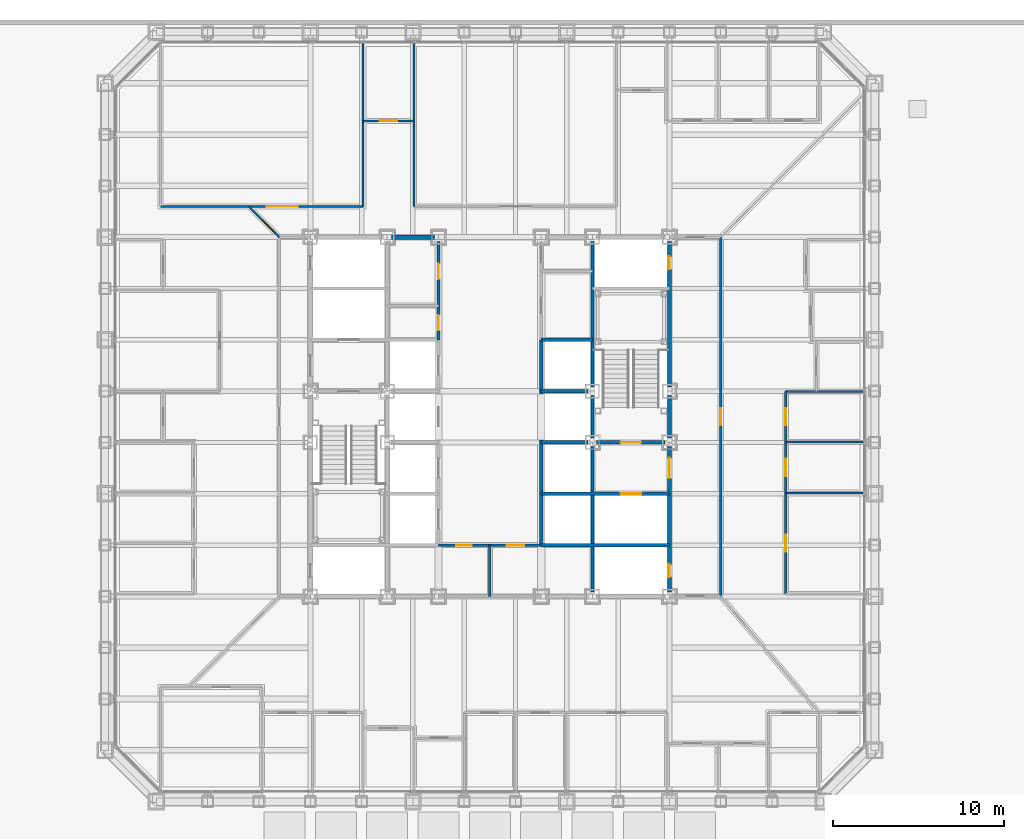
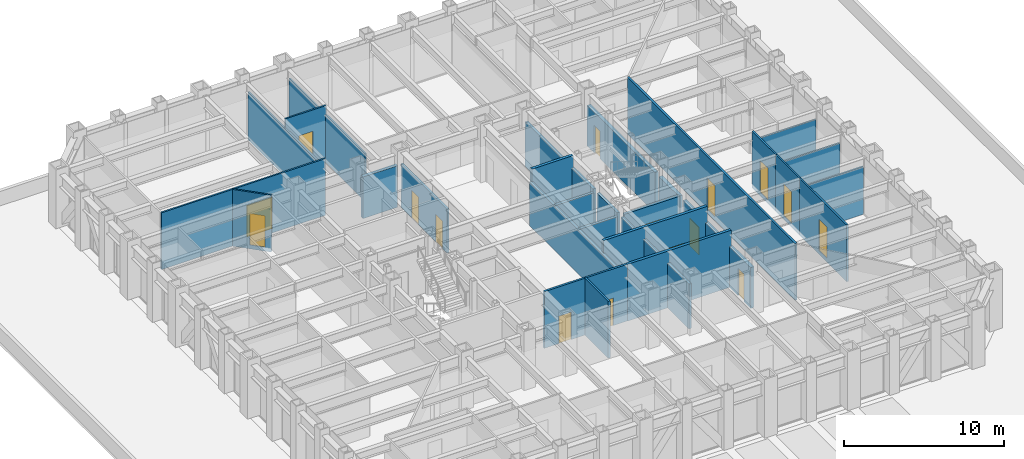
# One storey, part 11 of 18: 29 walls, 16 doors, 16 openings.
"""IFC4 building model written with IfcOpenShell, lengths in metres."""

from ifc_helpers import new_model, si_unit, direction, frame, frame_2d, origin, place, context, subcontext, project, spatial, rectangle, extrude, material, layer, layer_set, type_object, element, fill, save


model = new_model("IFC4")

# Units and contexts
model_context = context("Model", 3, precision=1e-05, world=origin(), true_north=direction((0.0, 1.0)))
body_context = subcontext(model_context, "Body", "Model", "MODEL_VIEW")
ifc_project = project(units=[si_unit("LENGTHUNIT", "METRE"), si_unit("AREAUNIT", "SQUARE_METRE"), si_unit("VOLUMEUNIT", "CUBIC_METRE"), si_unit("PLANEANGLEUNIT", "RADIAN"), si_unit("MASSUNIT", "GRAM", prefix="KILO")], contexts=[model_context])

# Site, building, storey
site_placement = place(None, origin())
site = spatial("IfcSite", under=ifc_project, at=site_placement, CompositionType="ELEMENT")
building_placement = place(site_placement, origin())
building = spatial("IfcBuilding", under=site, at=building_placement, Name="Chuquiago Exchange Tower", CompositionType="ELEMENT")
storey_placement = place(building_placement, frame((0.0, 0.0, 24.300048828125)))
storey = spatial("IfcBuildingStorey", under=building, at=storey_placement, Name="L04", CompositionType="ELEMENT", Elevation=24.300048828125)

# Wall
ifc_material_1 = material(Name="Concrete masonry, fully grouted", Category="masonry")
ifc_layer_1 = layer(ifc_material_1, 0.25)
ifc_layer_set_1 = layer_set([ifc_layer_1], Name="W1 core wall 250")
wall_type_1 = type_object("IfcWallType", Name="W1 core wall 250", PredefinedType="SOLIDWALL", material=ifc_layer_set_1)
wall_1_placement = place(storey_placement, frame((16.75, 33.0, 0.0), z_axis=(0.0, 0.0, 1.0), x_axis=(1.0, 0.0, 0.0)))
element("IfcWall", 1, at=wall_1_placement, inside=storey, type_object=wall_type_1, Name="CW-L04-11-1", PredefinedType="SOLIDWALL", context=body_context, shape_type="SweptSolid", body=[
    extrude(rectangle(XDim=2.5, YDim=0.25, at=frame_2d((1.25, 0.0))), origin(), (0.0, 0.0, 1.0), 3.181396484375),
])

# Wall, openings, doors
wall_2_placement = place(storey_placement, frame((33.0, 12.25, 0.0), z_axis=(0.0, 0.0, 1.0), x_axis=(0.0, 1.0, 0.0)))
wall_2 = element("IfcWall", 2, at=wall_2_placement, inside=storey, type_object=wall_type_1, Name="CW-L04-25-0", PredefinedType="SOLIDWALL", context=body_context, shape_type="SweptSolid", body=[
    extrude(rectangle(XDim=8.5, YDim=0.25, at=frame_2d((4.25, 0.0))), origin(), (0.0, 0.0, 1.0), 3.11279296875),
])
opening_1_placement = place(wall_2_placement, frame((6.64990234375, 0.0, 0.0)))
opening_1 = element("IfcOpeningElement", 3, at=opening_1_placement, cuts=wall_2, Name="Opening L04-004", PredefinedType="OPENING", context=body_context, shape_type="SweptSolid", body=[
    extrude(rectangle(XDim=1.199951171875, YDim=2.10009765625, at=frame_2d((0.60009765625, 1.050048828125))), frame((0.0, 0.135009765625, 0.0), z_axis=(0.0, -1.0, 0.0), x_axis=(1.0, 0.0, 0.0)), (0.0, 0.0, 1.0), 0.27001953125),
])
opening_2_placement = place(wall_2_placement, frame((0.875, 0.0, 0.0)))
opening_2 = element("IfcOpeningElement", 4, at=opening_2_placement, cuts=wall_2, Name="Opening L04-009", PredefinedType="OPENING", context=body_context, shape_type="SweptSolid", body=[
    extrude(rectangle(XDim=0.75, YDim=2.10009765625, at=frame_2d((0.375, 1.050048828125))), frame((0.0, 0.135009765625, 0.0), z_axis=(0.0, -1.0, 0.0), x_axis=(1.0, 0.0, 0.0)), (0.0, 0.0, 1.0), 0.27001953125),
])
ifc_material_2 = material(Name="Steel door, painted", Category="steel")
door_type_1 = type_object("IfcDoorType", Name="D5 firefighting lobby door 1200x2100", OperationType="SINGLE_SWING_LEFT", PredefinedType="DOOR", material=ifc_material_2)
door_1_placement = place(opening_1_placement, origin())
door_1 = element("IfcDoor", 5, at=door_1_placement, inside=storey, type_object=door_type_1, Name="Firefighting lobby 2 door", OperationType="SINGLE_SWING_RIGHT", OverallHeight=2.10009765625, OverallWidth=1.199951171875, PredefinedType="DOOR", context=body_context, shape_type="SweptSolid", body=[
    extrude(rectangle(XDim=1.199951171875, YDim=2.10009765625, at=frame_2d((0.60009765625, 1.050048828125))), frame((0.0, 0.02490234375, 0.0), z_axis=(0.0, -1.0, 0.0), x_axis=(1.0, 0.0, 0.0)), (0.0, 0.0, 1.0), 0.050048828125),
])
fill(opening_1, door_1)
ifc_material_3 = material(Name="Steel door, painted", Category="steel")
door_type_2 = type_object("IfcDoorType", Name="D6 riser access door 750x2100", OperationType="SINGLE_SWING_LEFT", PredefinedType="DOOR", material=ifc_material_3)
door_2_placement = place(opening_2_placement, frame((0.75, 0.0, 0.0), z_axis=(0.0, 0.0, 1.0), x_axis=(-1.0, 0.0, 0.0)))
door_2 = element("IfcDoor", 6, at=door_2_placement, inside=storey, type_object=door_type_2, Name="Riser RE1 door", OperationType="SINGLE_SWING_RIGHT", OverallHeight=2.10009765625, OverallWidth=0.75, PredefinedType="DOOR", context=body_context, shape_type="SweptSolid", body=[
    extrude(rectangle(XDim=0.75, YDim=2.10009765625, at=frame_2d((0.375, 1.050048828125))), frame((0.0, 0.02490234375, 0.0), z_axis=(0.0, -1.0, 0.0), x_axis=(1.0, 0.0, 0.0)), (0.0, 0.0, 1.0), 0.050048828125),
])
fill(opening_2, door_2)

# Wall
wall_3_placement = place(storey_placement, frame((33.0, 21.25, 0.0), z_axis=(0.0, 0.0, 1.0), x_axis=(0.0, 1.0, 0.0)))
element("IfcWall", 7, at=wall_3_placement, inside=storey, type_object=wall_type_1, Name="CW-L04-25-1", PredefinedType="SOLIDWALL", context=body_context, shape_type="SweptSolid", body=[
    extrude(rectangle(XDim=2.5, YDim=0.25, at=frame_2d((1.25, 0.0))), origin(), (0.0, 0.0, 1.0), 3.11279296875),
])

# Wall, opening, door
wall_4_placement = place(storey_placement, frame((33.0, 24.25, 0.0), z_axis=(0.0, 0.0, 1.0), x_axis=(0.0, 1.0, 0.0)))
wall_4 = element("IfcWall", 8, at=wall_4_placement, inside=storey, type_object=wall_type_1, Name="CW-L04-25-2", PredefinedType="SOLIDWALL", context=body_context, shape_type="SweptSolid", body=[
    extrude(rectangle(XDim=8.5, YDim=0.25, at=frame_2d((4.25, 0.0))), origin(), (0.0, 0.0, 1.0), 3.11279296875),
])
opening_3_placement = place(wall_4_placement, frame((6.875, 0.0, 0.0)))
opening_3 = element("IfcOpeningElement", 9, at=opening_3_placement, cuts=wall_4, Name="Opening L04-010", PredefinedType="OPENING", context=body_context, shape_type="SweptSolid", body=[
    extrude(rectangle(XDim=0.75, YDim=2.10009765625, at=frame_2d((0.375, 1.050048828125))), frame((0.0, 0.135009765625, 0.0), z_axis=(0.0, -1.0, 0.0), x_axis=(1.0, 0.0, 0.0)), (0.0, 0.0, 1.0), 0.27001953125),
])
door_3_placement = place(opening_3_placement, frame((0.75, 0.0, 0.0), z_axis=(0.0, 0.0, 1.0), x_axis=(-1.0, 0.0, 0.0)))
door_3 = element("IfcDoor", 10, at=door_3_placement, inside=storey, type_object=door_type_2, Name="Riser RE2 door", OperationType="SINGLE_SWING_LEFT", OverallHeight=2.10009765625, OverallWidth=0.75, PredefinedType="DOOR", context=body_context, shape_type="SweptSolid", body=[
    extrude(rectangle(XDim=0.75, YDim=2.10009765625, at=frame_2d((0.375, 1.050048828125))), frame((0.0, 0.02490234375, 0.0), z_axis=(0.0, -1.0, 0.0), x_axis=(1.0, 0.0, 0.0)), (0.0, 0.0, 1.0), 0.050048828125),
])
fill(opening_3, door_3)

ifc_material_4 = material(Name="Gypsum board on steel studs, acoustic insulation", Category="steel")
ifc_layer_2 = layer(ifc_material_4, 0.14990234375)
ifc_layer_set_2 = layer_set([ifc_layer_2], Name="W11 corridor wall 150")
wall_type_2 = type_object("IfcWallType", Name="W11 corridor wall 150", PredefinedType="PARTITIONING", material=ifc_layer_set_2)
wall_5_placement = place(storey_placement, frame((36.0, 12.0, -0.300048828125), z_axis=(0.0, 0.0, 1.0), x_axis=(0.0, 1.0, 0.0)))
wall_5 = element("IfcWall", 11, at=wall_5_placement, inside=storey, type_object=wall_type_2, Name="PW-L04-GE0", PredefinedType="PARTITIONING", context=body_context, shape_type="SweptSolid", body=[
    extrude(rectangle(XDim=21.0, YDim=0.14990234375, at=frame_2d((10.5, 0.0))), origin(), (0.0, 0.0, 1.0), 4.340087890625),
])
opening_4_placement = place(wall_5_placement, frame((10.0, 0.0, 0.300048828125)))
opening_4 = element("IfcOpeningElement", 12, at=opening_4_placement, cuts=wall_5, Name="Opening L04-053", PredefinedType="OPENING", context=body_context, shape_type="SweptSolid", body=[
    extrude(rectangle(XDim=1.0, YDim=2.39990234375, at=frame_2d((0.5, 1.199951171875))), frame((0.0, 0.0849609375, 0.0), z_axis=(0.0, -1.0, 0.0), x_axis=(1.0, 0.0, 0.0)), (0.0, 0.0, 1.0), 0.169921875),
])
ifc_material_5 = material(Name="Timber door, laminate faced", Category="wood")
door_type_3 = type_object("IfcDoorType", Name="D9 room door 1000x2400", OperationType="SINGLE_SWING_LEFT", PredefinedType="DOOR", material=ifc_material_5)
door_4_placement = place(opening_4_placement, frame((1.0, 0.0, 0.0), z_axis=(0.0, 0.0, 1.0), x_axis=(-1.0, 0.0, 0.0)))
door_4 = element("IfcDoor", 13, at=door_4_placement, inside=storey, type_object=door_type_3, Name="Team area door", OperationType="SINGLE_SWING_RIGHT", OverallHeight=2.39990234375, OverallWidth=1.0, PredefinedType="DOOR", context=body_context, shape_type="SweptSolid", body=[
    extrude(rectangle(XDim=1.0, YDim=2.39990234375, at=frame_2d((0.5, 1.199951171875))), frame((0.0, 0.02490234375, 0.0), z_axis=(0.0, -1.0, 0.0), x_axis=(1.0, 0.0, 0.0)), (0.0, 0.0, 1.0), 0.050048828125),
])
fill(opening_4, door_4)

# Walls
ifc_material_6 = material(Name="Concrete masonry, fully grouted", Category="masonry")
ifc_layer_3 = layer(ifc_material_6, 0.199951171875)
ifc_layer_set_3 = layer_set([ifc_layer_3], Name="W2 shaft wall 200")
wall_type_3 = type_object("IfcWallType", Name="W2 shaft wall 200", PredefinedType="SOLIDWALL", material=ifc_layer_set_3)
wall_6_placement = place(storey_placement, frame((25.5, 15.0, 0.0), z_axis=(0.0, 0.0, 1.0), x_axis=(1.0, 0.0, 0.0)))
element("IfcWall", 14, at=wall_6_placement, inside=storey, type_object=wall_type_3, Name="CW-L04-04-0", PredefinedType="SOLIDWALL", context=body_context, shape_type="SweptSolid", body=[
    extrude(rectangle(XDim=7.5, YDim=0.199951171875, at=frame_2d((3.75, 0.0))), origin(), (0.0, 0.0, 1.0), 4.33984375),
])
wall_7_placement = place(storey_placement, frame((25.5, 24.0, 0.0), z_axis=(0.0, 0.0, 1.0), x_axis=(1.0, 0.0, 0.0)))
element("IfcWall", 15, at=wall_7_placement, inside=storey, type_object=wall_type_3, Name="CW-L04-06-0", PredefinedType="SOLIDWALL", context=body_context, shape_type="SweptSolid", body=[
    extrude(rectangle(XDim=2.75, YDim=0.199951171875, at=frame_2d((1.375, 0.0))), origin(), (0.0, 0.0, 1.0), 3.389892578125),
])
wall_8_placement = place(storey_placement, frame((25.5, 27.0, 0.0), z_axis=(0.0, 0.0, 1.0), x_axis=(1.0, 0.0, 0.0)))
element("IfcWall", 16, at=wall_8_placement, inside=storey, type_object=wall_type_3, Name="CW-L04-08-0", PredefinedType="SOLIDWALL", context=body_context, shape_type="SweptSolid", body=[
    extrude(rectangle(XDim=3.0, YDim=0.199951171875, at=frame_2d((1.5, 0.0))), origin(), (0.0, 0.0, 1.0), 4.33984375),
])

# Wall, opening, door
wall_9_placement = place(storey_placement, frame((25.5, 18.0, 0.0), z_axis=(0.0, 0.0, 1.0), x_axis=(1.0, 0.0, 0.0)))
wall_9 = element("IfcWall", 17, at=wall_9_placement, inside=storey, type_object=wall_type_3, Name="CW-L04-15-0", PredefinedType="SOLIDWALL", context=body_context, shape_type="SweptSolid", body=[
    extrude(rectangle(XDim=7.5, YDim=0.199951171875, at=frame_2d((3.75, 0.0))), origin(), (0.0, 0.0, 1.0), 4.33984375),
])
opening_5_placement = place(wall_9_placement, frame((4.64990234375, 0.0, 0.0)))
opening_5 = element("IfcOpeningElement", 18, at=opening_5_placement, cuts=wall_9, Name="Opening L04-006", PredefinedType="OPENING", context=body_context, shape_type="SweptSolid", body=[
    extrude(rectangle(XDim=1.199951171875, YDim=2.10009765625, at=frame_2d((0.60009765625, 1.050048828125))), frame((0.0, 0.10986328125, 0.0), z_axis=(0.0, -1.0, 0.0), x_axis=(1.0, 0.0, 0.0)), (0.0, 0.0, 1.0), 0.219970703125),
])
ifc_material_7 = material(Name="Stainless steel lift landing door", Category="steel")
door_type_4 = type_object("IfcDoorType", Name="LD2 firefighting lift landing door 1200x2100", OperationType="DOUBLE_DOOR_SLIDING", PredefinedType="DOOR", material=ifc_material_7)
door_5_placement = place(opening_5_placement, origin())
door_5 = element("IfcDoor", 19, at=door_5_placement, inside=storey, type_object=door_type_4, Name="Firefighting lift FL2 landing door", OperationType="DOUBLE_DOOR_SLIDING", OverallHeight=2.10009765625, OverallWidth=1.199951171875, PredefinedType="DOOR", context=body_context, shape_type="SweptSolid", body=[
    extrude(rectangle(XDim=1.199951171875, YDim=2.10009765625, at=frame_2d((0.60009765625, 1.050048828125))), frame((0.0, 0.02490234375, 0.0), z_axis=(0.0, -1.0, 0.0), x_axis=(1.0, 0.0, 0.0)), (0.0, 0.0, 1.0), 0.050048828125),
])
fill(opening_5, door_5)

# Wall
wall_10_placement = place(storey_placement, frame((25.5, 21.0, 0.0), z_axis=(0.0, 0.0, 1.0), x_axis=(1.0, 0.0, 0.0)))
element("IfcWall", 20, at=wall_10_placement, inside=storey, type_object=wall_type_3, Name="CW-L04-17-0", PredefinedType="SOLIDWALL", context=body_context, shape_type="SweptSolid", body=[
    extrude(rectangle(XDim=2.75, YDim=0.199951171875, at=frame_2d((1.375, 0.0))), origin(), (0.0, 0.0, 1.0), 3.389892578125),
])

# Wall, opening, door
wall_11_placement = place(storey_placement, frame((28.75, 21.0, 0.0), z_axis=(0.0, 0.0, 1.0), x_axis=(1.0, 0.0, 0.0)))
wall_11 = element("IfcWall", 21, at=wall_11_placement, inside=storey, type_object=wall_type_3, Name="CW-L04-17-1", PredefinedType="SOLIDWALL", context=body_context, shape_type="SweptSolid", body=[
    extrude(rectangle(XDim=4.0, YDim=0.199951171875, at=frame_2d((2.0, 0.0))), origin(), (0.0, 0.0, 1.0), 3.389892578125),
])
opening_6_placement = place(wall_11_placement, frame((1.39990234375, 0.0, 0.0)))
opening_6 = element("IfcOpeningElement", 22, at=opening_6_placement, cuts=wall_11, Name="Opening L04-003", PredefinedType="OPENING", context=body_context, shape_type="SweptSolid", body=[
    extrude(rectangle(XDim=1.199951171875, YDim=2.10009765625, at=frame_2d((0.60009765625, 1.050048828125))), frame((0.0, 0.10986328125, 0.0), z_axis=(0.0, -1.0, 0.0), x_axis=(1.0, 0.0, 0.0)), (0.0, 0.0, 1.0), 0.219970703125),
])
ifc_material_8 = material(Name="Steel door, painted", Category="steel")
door_type_5 = type_object("IfcDoorType", Name="D4 stair door 1200x2100", OperationType="SINGLE_SWING_LEFT", PredefinedType="DOOR", material=ifc_material_8)
door_6_placement = place(opening_6_placement, origin())
door_6 = element("IfcDoor", 23, at=door_6_placement, inside=storey, type_object=door_type_5, Name="Stair ST2 door", OperationType="SINGLE_SWING_LEFT", OverallHeight=2.10009765625, OverallWidth=1.199951171875, PredefinedType="DOOR", context=body_context, shape_type="SweptSolid", body=[
    extrude(rectangle(XDim=1.199951171875, YDim=2.10009765625, at=frame_2d((0.60009765625, 1.050048828125))), frame((0.0, 0.02490234375, 0.0), z_axis=(0.0, -1.0, 0.0), x_axis=(1.0, 0.0, 0.0)), (0.0, 0.0, 1.0), 0.050048828125),
])
fill(opening_6, door_6)

# Walls
wall_12_placement = place(storey_placement, frame((25.5, 15.0, 0.0), z_axis=(0.0, 0.0, 1.0), x_axis=(0.0, 1.0, 0.0)))
element("IfcWall", 24, at=wall_12_placement, inside=storey, type_object=wall_type_3, Name="CW-L04-22-0", PredefinedType="SOLIDWALL", context=body_context, shape_type="SweptSolid", body=[
    extrude(rectangle(XDim=12.0, YDim=0.199951171875, at=frame_2d((6.0, 0.0))), origin(), (0.0, 0.0, 1.0), 3.364501953125),
])
wall_13_placement = place(storey_placement, frame((28.5, 12.25, 0.0), z_axis=(0.0, 0.0, 1.0), x_axis=(0.0, 1.0, 0.0)))
element("IfcWall", 25, at=wall_13_placement, inside=storey, type_object=wall_type_3, Name="CW-L04-24-0", PredefinedType="SOLIDWALL", context=body_context, shape_type="SweptSolid", body=[
    extrude(rectangle(XDim=8.5, YDim=0.199951171875, at=frame_2d((4.25, 0.0))), origin(), (0.0, 0.0, 1.0), 3.412841796875),
])
wall_14_placement = place(storey_placement, frame((28.5, 21.25, 0.0), z_axis=(0.0, 0.0, 1.0), x_axis=(0.0, 1.0, 0.0)))
element("IfcWall", 26, at=wall_14_placement, inside=storey, type_object=wall_type_3, Name="CW-L04-24-1", PredefinedType="SOLIDWALL", context=body_context, shape_type="SweptSolid", body=[
    extrude(rectangle(XDim=2.5, YDim=0.199951171875, at=frame_2d((1.25, 0.0))), origin(), (0.0, 0.0, 1.0), 3.412841796875),
])
wall_15_placement = place(storey_placement, frame((28.5, 24.25, 0.0), z_axis=(0.0, 0.0, 1.0), x_axis=(0.0, 1.0, 0.0)))
element("IfcWall", 27, at=wall_15_placement, inside=storey, type_object=wall_type_3, Name="CW-L04-24-2", PredefinedType="SOLIDWALL", context=body_context, shape_type="SweptSolid", body=[
    extrude(rectangle(XDim=8.5, YDim=0.199951171875, at=frame_2d((4.25, 0.0))), origin(), (0.0, 0.0, 1.0), 3.412841796875),
])

# Wall, openings, doors
ifc_material_9 = material(Name="Gypsum board on steel studs", Category="steel")
ifc_layer_4 = layer(ifc_material_9, 0.14990234375)
ifc_layer_set_4 = layer_set([ifc_layer_4], Name="W3 core partition 150")
wall_type_4 = type_object("IfcWallType", Name="W3 core partition 150", PredefinedType="PARTITIONING", material=ifc_layer_set_4)
wall_16_placement = place(storey_placement, frame((19.5, 27.0, 0.0), z_axis=(0.0, 0.0, 1.0), x_axis=(0.0, 1.0, 0.0)))
wall_16 = element("IfcWall", 28, at=wall_16_placement, inside=storey, type_object=wall_type_4, Name="CW-L04-20-0", PredefinedType="PARTITIONING", context=body_context, shape_type="SweptSolid", body=[
    extrude(rectangle(XDim=5.75, YDim=0.14990234375, at=frame_2d((2.875, 0.0))), origin(), (0.0, 0.0, 1.0), 3.364501953125),
])
opening_7_placement = place(wall_16_placement, frame((0.550048828125, 0.0, 0.0)))
opening_7 = element("IfcOpeningElement", 29, at=opening_7_placement, cuts=wall_16, Name="Opening L04-011", PredefinedType="OPENING", context=body_context, shape_type="SweptSolid", body=[
    extrude(rectangle(XDim=0.89990234375, YDim=2.10009765625, at=frame_2d((0.449951171875, 1.050048828125))), frame((0.0, 0.0849609375, 0.0), z_axis=(0.0, -1.0, 0.0), x_axis=(1.0, 0.0, 0.0)), (0.0, 0.0, 1.0), 0.169921875),
])
opening_8_placement = place(wall_16_placement, frame((3.550048828125, 0.0, 0.0)))
opening_8 = element("IfcOpeningElement", 30, at=opening_8_placement, cuts=wall_16, Name="Opening L04-012", PredefinedType="OPENING", context=body_context, shape_type="SweptSolid", body=[
    extrude(rectangle(XDim=0.89990234375, YDim=2.10009765625, at=frame_2d((0.449951171875, 1.050048828125))), frame((0.0, 0.0849609375, 0.0), z_axis=(0.0, -1.0, 0.0), x_axis=(1.0, 0.0, 0.0)), (0.0, 0.0, 1.0), 0.169921875),
])
ifc_material_10 = material(Name="Timber door, laminate faced", Category="wood")
door_type_6 = type_object("IfcDoorType", Name="D16 core room door 900x2100", OperationType="SINGLE_SWING_LEFT", PredefinedType="DOOR", material=ifc_material_10)
door_7_placement = place(opening_7_placement, origin())
door_7 = element("IfcDoor", 31, at=door_7_placement, inside=storey, type_object=door_type_6, Name="First aid room door", OperationType="SINGLE_SWING_LEFT", OverallHeight=2.10009765625, OverallWidth=0.89990234375, PredefinedType="DOOR", context=body_context, shape_type="SweptSolid", body=[
    extrude(rectangle(XDim=0.89990234375, YDim=2.10009765625, at=frame_2d((0.449951171875, 1.050048828125))), frame((0.0, 0.02490234375, 0.0), z_axis=(0.0, -1.0, 0.0), x_axis=(1.0, 0.0, 0.0)), (0.0, 0.0, 1.0), 0.050048828125),
])
fill(opening_7, door_7)
ifc_material_11 = material(Name="Timber door, laminate faced", Category="wood")
door_type_7 = type_object("IfcDoorType", Name="D7 toilet door 900x2100", OperationType="SINGLE_SWING_LEFT", PredefinedType="DOOR", material=ifc_material_11)
door_8_placement = place(opening_8_placement, origin())
door_8 = element("IfcDoor", 32, at=door_8_placement, inside=storey, type_object=door_type_7, Name="Male WC door", OperationType="SINGLE_SWING_RIGHT", OverallHeight=2.10009765625, OverallWidth=0.89990234375, PredefinedType="DOOR", context=body_context, shape_type="SweptSolid", body=[
    extrude(rectangle(XDim=0.89990234375, YDim=2.10009765625, at=frame_2d((0.449951171875, 1.050048828125))), frame((0.0, 0.02490234375, 0.0), z_axis=(0.0, -1.0, 0.0), x_axis=(1.0, 0.0, 0.0)), (0.0, 0.0, 1.0), 0.050048828125),
])
fill(opening_8, door_8)

wall_17_placement = place(storey_placement, frame((19.5, 15.0, 0.0), z_axis=(0.0, 0.0, 1.0), x_axis=(1.0, 0.0, 0.0)))
wall_17 = element("IfcWall", 33, at=wall_17_placement, inside=storey, type_object=wall_type_4, Name="CW-L04-TF", PredefinedType="PARTITIONING", context=body_context, shape_type="SweptSolid", body=[
    extrude(rectangle(XDim=6.0, YDim=0.14990234375, at=frame_2d((3.0, 0.0))), origin(), (0.0, 0.0, 1.0), 4.33984375),
])
opening_9_placement = place(wall_17_placement, frame((4.0, 0.0, 0.0)))
opening_9 = element("IfcOpeningElement", 34, at=opening_9_placement, cuts=wall_17, Name="Opening L04-015", PredefinedType="OPENING", context=body_context, shape_type="SweptSolid", body=[
    extrude(rectangle(XDim=1.0, YDim=2.10009765625, at=frame_2d((0.5, 1.050048828125))), frame((0.0, 0.0849609375, 0.0), z_axis=(0.0, -1.0, 0.0), x_axis=(1.0, 0.0, 0.0)), (0.0, 0.0, 1.0), 0.169921875),
])
opening_10_placement = place(wall_17_placement, frame((1.050048828125, 0.0, 0.0)))
opening_10 = element("IfcOpeningElement", 35, at=opening_10_placement, cuts=wall_17, Name="Opening L04-016", PredefinedType="OPENING", context=body_context, shape_type="SweptSolid", body=[
    extrude(rectangle(XDim=0.89990234375, YDim=2.10009765625, at=frame_2d((0.449951171875, 1.050048828125))), frame((0.0, 0.0849609375, 0.0), z_axis=(0.0, -1.0, 0.0), x_axis=(1.0, 0.0, 0.0)), (0.0, 0.0, 1.0), 0.169921875),
])
door_9_placement = place(opening_10_placement, origin())
door_9 = element("IfcDoor", 36, at=door_9_placement, inside=storey, type_object=door_type_7, Name="Cleaner door", OperationType="SINGLE_SWING_LEFT", OverallHeight=2.10009765625, OverallWidth=0.89990234375, PredefinedType="DOOR", context=body_context, shape_type="SweptSolid", body=[
    extrude(rectangle(XDim=0.89990234375, YDim=2.10009765625, at=frame_2d((0.449951171875, 1.050048828125))), frame((0.0, 0.02490234375, 0.0), z_axis=(0.0, -1.0, 0.0), x_axis=(1.0, 0.0, 0.0)), (0.0, 0.0, 1.0), 0.050048828125),
])
fill(opening_10, door_9)
ifc_material_12 = material(Name="Timber door, laminate faced", Category="wood")
door_type_8 = type_object("IfcDoorType", Name="D8 accessible toilet door 1000x2100", OperationType="SLIDING_TO_LEFT", PredefinedType="DOOR", material=ifc_material_12)
door_10_placement = place(opening_9_placement, origin())
door_10 = element("IfcDoor", 37, at=door_10_placement, inside=storey, type_object=door_type_8, Name="Accessible WC door", OperationType="SLIDING_TO_LEFT", OverallHeight=2.10009765625, OverallWidth=1.0, PredefinedType="DOOR", context=body_context, shape_type="SweptSolid", body=[
    extrude(rectangle(XDim=1.0, YDim=2.10009765625, at=frame_2d((0.5, 1.050048828125))), frame((0.0, 0.02490234375, 0.0), z_axis=(0.0, -1.0, 0.0), x_axis=(1.0, 0.0, 0.0)), (0.0, 0.0, 1.0), 0.050048828125),
])
fill(opening_9, door_10)

# Walls
wall_18_placement = place(storey_placement, frame((22.5, 15.0, 0.0), z_axis=(0.0, 0.0, 1.0), x_axis=(0.0, -1.0, 0.0)))
element("IfcWall", 38, at=wall_18_placement, inside=storey, type_object=wall_type_4, Name="CW-L04-TM", PredefinedType="PARTITIONING", context=body_context, shape_type="SweptSolid", body=[
    extrude(rectangle(XDim=3.0, YDim=0.14990234375, at=frame_2d((1.5, 0.0))), origin(), (0.0, 0.0, 1.0), 4.33984375),
])
ifc_material_13 = material(Name="Gypsum board on steel studs", Category="steel")
ifc_layer_5 = layer(ifc_material_13, 0.1201171875)
ifc_layer_set_5 = layer_set([ifc_layer_5], Name="W4 partition 120")
wall_type_5 = type_object("IfcWallType", Name="W4 partition 120", PredefinedType="PARTITIONING", material=ifc_layer_set_5)
for number, where, z_axis, x_axis, name in (
    (39, (44.342529296875, 18.057373046875, -0.300048828125), (0.0, 0.0, 1.0), (-1.0, 0.0, 0.0), "PW-L04-E01806"),
    (40, (44.342529296875, 21.01904296875, -0.300048828125), (0.0, 0.0, 1.0), (-1.0, 0.0, 0.0), "PW-L04-E02102"),
    (41, (44.342529296875, 23.98095703125, -0.300048828125), (0.0, 0.0, 1.0), (-1.0, 0.0, 0.0), "PW-L04-E02398"),
):
    element("IfcWall", number, at=place(storey_placement, frame(where, z_axis=z_axis, x_axis=x_axis)), inside=storey, type_object=wall_type_5, Name=name, PredefinedType="PARTITIONING", context=body_context, shape_type="SweptSolid", body=[
        extrude(rectangle(XDim=4.54248046875, YDim=0.1201171875, at=frame_2d((2.271240234375, 0.0))), origin(), (0.0, 0.0, 1.0), 3.646484375),
    ])

# Wall, opening, door
wall_19_placement = place(storey_placement, frame((39.800048828125, 12.1337890625, -0.300048828125), z_axis=(0.0, 0.0, 1.0), x_axis=(0.0, 1.0, 0.0)))
wall_19 = element("IfcWall", 42, at=wall_19_placement, inside=storey, type_object=wall_type_5, Name="PW-L04-EF01213", PredefinedType="PARTITIONING", context=body_context, shape_type="SweptSolid", body=[
    extrude(rectangle(XDim=5.923583984375, YDim=0.1201171875, at=frame_2d((2.9619140625, 0.0))), origin(), (0.0, 0.0, 1.0), 4.340087890625),
])
opening_11_placement = place(wall_19_placement, frame((2.4619140625, 0.0, 0.300048828125)))
opening_11 = element("IfcOpeningElement", 43, at=opening_11_placement, cuts=wall_19, Name="Opening L04-033", PredefinedType="OPENING", context=body_context, shape_type="SweptSolid", body=[
    extrude(rectangle(XDim=1.0, YDim=2.39990234375, at=frame_2d((0.5, 1.199951171875))), frame((0.0, 0.070068359375, 0.0), z_axis=(0.0, -1.0, 0.0), x_axis=(1.0, 0.0, 0.0)), (0.0, 0.0, 1.0), 0.14013671875),
])
ifc_material_14 = material(Name="Timber frame door, full height glazed panel", Category="wood")
door_type_9 = type_object("IfcDoorType", Name="D14 glazed meeting room door 1000x2400", OperationType="SINGLE_SWING_LEFT", PredefinedType="DOOR", material=ifc_material_14)
door_11_placement = place(opening_11_placement, frame((1.0, 0.0, 0.0), z_axis=(0.0, 0.0, 1.0), x_axis=(-1.0, 0.0, 0.0)))
door_11 = element("IfcDoor", 44, at=door_11_placement, inside=storey, type_object=door_type_9, Name="Meeting room door", OperationType="SINGLE_SWING_RIGHT", OverallHeight=2.39990234375, OverallWidth=1.0, PredefinedType="DOOR", context=body_context, shape_type="SweptSolid", body=[
    extrude(rectangle(XDim=1.0, YDim=2.39990234375, at=frame_2d((0.5, 1.199951171875))), frame((0.0, 0.02490234375, 0.0), z_axis=(0.0, -1.0, 0.0), x_axis=(1.0, 0.0, 0.0)), (0.0, 0.0, 1.0), 0.050048828125),
])
fill(opening_11, door_11)

wall_20_placement = place(storey_placement, frame((39.800048828125, 18.057373046875, -0.300048828125), z_axis=(0.0, 0.0, 1.0), x_axis=(0.0, 1.0, 0.0)))
wall_20 = element("IfcWall", 45, at=wall_20_placement, inside=storey, type_object=wall_type_5, Name="PW-L04-EF01806", PredefinedType="PARTITIONING", context=body_context, shape_type="SweptSolid", body=[
    extrude(rectangle(XDim=2.961669921875, YDim=0.1201171875, at=frame_2d((1.48095703125, 0.0))), origin(), (0.0, 0.0, 1.0), 4.340087890625),
])
opening_12_placement = place(wall_20_placement, frame((0.98095703125, 0.0, 0.300048828125)))
opening_12 = element("IfcOpeningElement", 46, at=opening_12_placement, cuts=wall_20, Name="Opening L04-034", PredefinedType="OPENING", context=body_context, shape_type="SweptSolid", body=[
    extrude(rectangle(XDim=1.0, YDim=2.39990234375, at=frame_2d((0.5, 1.199951171875))), frame((0.0, 0.070068359375, 0.0), z_axis=(0.0, -1.0, 0.0), x_axis=(1.0, 0.0, 0.0)), (0.0, 0.0, 1.0), 0.14013671875),
])
door_12_placement = place(opening_12_placement, frame((1.0, 0.0, 0.0), z_axis=(0.0, 0.0, 1.0), x_axis=(-1.0, 0.0, 0.0)))
door_12 = element("IfcDoor", 47, at=door_12_placement, inside=storey, type_object=door_type_3, Name="Office door", OperationType="SINGLE_SWING_LEFT", OverallHeight=2.39990234375, OverallWidth=1.0, PredefinedType="DOOR", context=body_context, shape_type="SweptSolid", body=[
    extrude(rectangle(XDim=1.0, YDim=2.39990234375, at=frame_2d((0.5, 1.199951171875))), frame((0.0, 0.02490234375, 0.0), z_axis=(0.0, -1.0, 0.0), x_axis=(1.0, 0.0, 0.0)), (0.0, 0.0, 1.0), 0.050048828125),
])
fill(opening_12, door_12)

wall_21_placement = place(storey_placement, frame((39.800048828125, 21.01904296875, -0.300048828125), z_axis=(0.0, 0.0, 1.0), x_axis=(0.0, 1.0, 0.0)))
wall_21 = element("IfcWall", 48, at=wall_21_placement, inside=storey, type_object=wall_type_5, Name="PW-L04-EF02102", PredefinedType="PARTITIONING", context=body_context, shape_type="SweptSolid", body=[
    extrude(rectangle(XDim=2.9619140625, YDim=0.1201171875, at=frame_2d((1.48095703125, 0.0))), origin(), (0.0, 0.0, 1.0), 4.340087890625),
])
opening_13_placement = place(wall_21_placement, frame((0.98095703125, 0.0, 0.300048828125)))
opening_13 = element("IfcOpeningElement", 49, at=opening_13_placement, cuts=wall_21, Name="Opening L04-035", PredefinedType="OPENING", context=body_context, shape_type="SweptSolid", body=[
    extrude(rectangle(XDim=1.0, YDim=2.39990234375, at=frame_2d((0.5, 1.199951171875))), frame((0.0, 0.070068359375, 0.0), z_axis=(0.0, -1.0, 0.0), x_axis=(1.0, 0.0, 0.0)), (0.0, 0.0, 1.0), 0.14013671875),
])
door_13_placement = place(opening_13_placement, frame((1.0, 0.0, 0.0), z_axis=(0.0, 0.0, 1.0), x_axis=(-1.0, 0.0, 0.0)))
door_13 = element("IfcDoor", 50, at=door_13_placement, inside=storey, type_object=door_type_3, Name="Office door", OperationType="SINGLE_SWING_LEFT", OverallHeight=2.39990234375, OverallWidth=1.0, PredefinedType="DOOR", context=body_context, shape_type="SweptSolid", body=[
    extrude(rectangle(XDim=1.0, YDim=2.39990234375, at=frame_2d((0.5, 1.199951171875))), frame((0.0, 0.02490234375, 0.0), z_axis=(0.0, -1.0, 0.0), x_axis=(1.0, 0.0, 0.0)), (0.0, 0.0, 1.0), 0.050048828125),
])
fill(opening_13, door_13)

# Walls
for number, where, z_axis, x_axis, name in (
    (51, (15.095703125, 44.342529296875, -0.300048828125), (0.0, 0.0, 1.0), (0.0, -1.0, 0.0), "PW-L04-N01510"),
    (52, (18.057373046875, 44.342529296875, -0.300048828125), (0.0, 0.0, 1.0), (0.0, -1.0, 0.0), "PW-L04-N01806"),
):
    element("IfcWall", number, at=place(storey_placement, frame(where, z_axis=z_axis, x_axis=x_axis)), inside=storey, type_object=wall_type_5, Name=name, PredefinedType="PARTITIONING", context=body_context, shape_type="SweptSolid", body=[
        extrude(rectangle(XDim=9.54248046875, YDim=0.1201171875, at=frame_2d((4.771240234375, 0.0))), origin(), (0.0, 0.0, 1.0), 3.646484375),
    ])

# Wall, opening, door
wall_22_placement = place(storey_placement, frame((3.24853515625, 34.800048828125, -0.300048828125), z_axis=(0.0, 0.0, 1.0), x_axis=(1.0, 0.0, 0.0)))
wall_22 = element("IfcWall", 53, at=wall_22_placement, inside=storey, type_object=wall_type_5, Name="PW-L04-NF00325", PredefinedType="PARTITIONING", context=body_context, shape_type="SweptSolid", body=[
    extrude(rectangle(XDim=11.84716796875, YDim=0.1201171875, at=frame_2d((5.923583984375, 0.0))), origin(), (0.0, 0.0, 1.0), 4.340087890625),
])
opening_14_placement = place(wall_22_placement, frame((6.208251953125, 0.0, 0.300048828125)))
opening_14 = element("IfcOpeningElement", 54, at=opening_14_placement, cuts=wall_22, Name="Opening L04-039", PredefinedType="OPENING", context=body_context, shape_type="SweptSolid", body=[
    extrude(rectangle(XDim=1.800048828125, YDim=2.39990234375, at=frame_2d((0.89990234375, 1.199951171875))), frame((0.0, 0.070068359375, 0.0), z_axis=(0.0, -1.0, 0.0), x_axis=(1.0, 0.0, 0.0)), (0.0, 0.0, 1.0), 0.14013671875),
])
ifc_material_15 = material(Name="Timber door pair, laminate faced", Category="wood")
door_type_10 = type_object("IfcDoorType", Name="D15 double room door 1800x2400", OperationType="DOUBLE_DOOR_DOUBLE_SWING", PredefinedType="DOOR", material=ifc_material_15)
door_14_placement = place(opening_14_placement, origin())
door_14 = element("IfcDoor", 55, at=door_14_placement, inside=storey, type_object=door_type_10, Name="Trading room door", OperationType="DOUBLE_DOOR_DOUBLE_SWING", OverallHeight=2.39990234375, OverallWidth=1.800048828125, PredefinedType="DOOR", context=body_context, shape_type="SweptSolid", body=[
    extrude(rectangle(XDim=1.800048828125, YDim=2.39990234375, at=frame_2d((0.89990234375, 1.199951171875))), frame((0.0, 0.02490234375, 0.0), z_axis=(0.0, -1.0, 0.0), x_axis=(1.0, 0.0, 0.0)), (0.0, 0.0, 1.0), 0.050048828125),
])
fill(opening_14, door_14)

wall_23_placement = place(storey_placement, frame((15.095703125, 39.800048828125, -0.300048828125), z_axis=(0.0, 0.0, 1.0), x_axis=(1.0, 0.0, 0.0)))
wall_23 = element("IfcWall", 56, at=wall_23_placement, inside=storey, type_object=wall_type_5, Name="PW-L04-NF01510", PredefinedType="PARTITIONING", context=body_context, shape_type="SweptSolid", body=[
    extrude(rectangle(XDim=2.961669921875, YDim=0.1201171875, at=frame_2d((1.48095703125, 0.0))), origin(), (0.0, 0.0, 1.0), 4.340087890625),
])
opening_15_placement = place(wall_23_placement, frame((0.98095703125, 0.0, 0.300048828125)))
opening_15 = element("IfcOpeningElement", 57, at=opening_15_placement, cuts=wall_23, Name="Opening L04-040", PredefinedType="OPENING", context=body_context, shape_type="SweptSolid", body=[
    extrude(rectangle(XDim=1.0, YDim=2.39990234375, at=frame_2d((0.5, 1.199951171875))), frame((0.0, 0.070068359375, 0.0), z_axis=(0.0, -1.0, 0.0), x_axis=(1.0, 0.0, 0.0)), (0.0, 0.0, 1.0), 0.14013671875),
])
door_15_placement = place(opening_15_placement, origin())
door_15 = element("IfcDoor", 58, at=door_15_placement, inside=storey, type_object=door_type_3, Name="Office door", OperationType="SINGLE_SWING_LEFT", OverallHeight=2.39990234375, OverallWidth=1.0, PredefinedType="DOOR", context=body_context, shape_type="SweptSolid", body=[
    extrude(rectangle(XDim=1.0, YDim=2.39990234375, at=frame_2d((0.5, 1.199951171875))), frame((0.0, 0.02490234375, 0.0), z_axis=(0.0, -1.0, 0.0), x_axis=(1.0, 0.0, 0.0)), (0.0, 0.0, 1.0), 0.050048828125),
])
fill(opening_15, door_15)

wall_24_placement = place(storey_placement, frame((10.199951171875, 33.0, -0.300048828125), z_axis=(0.0, 0.0, 1.0), x_axis=(-0.707106781187, 0.707106781187, 0.0)))
wall_24 = element("IfcWall", 59, at=wall_24_placement, inside=storey, type_object=wall_type_5, Name="PW-L04-QNW", PredefinedType="PARTITIONING", context=body_context, shape_type="SweptSolid", body=[
    extrude(rectangle(XDim=2.547119140625, YDim=0.1201171875, at=frame_2d((1.2734375, 0.0))), origin(), (0.0, 0.0, 1.0), 4.340087890625),
])
opening_16_placement = place(wall_24_placement, frame((0.39990234375, 0.0, 0.300048828125)))
opening_16 = element("IfcOpeningElement", 60, at=opening_16_placement, cuts=wall_24, Name="Opening L04-057", PredefinedType="OPENING", context=body_context, shape_type="SweptSolid", body=[
    extrude(rectangle(XDim=1.0, YDim=2.39990234375, at=frame_2d((0.5, 1.199951171875))), frame((0.0, 0.070068359375, 0.0), z_axis=(0.0, -1.0, 0.0), x_axis=(1.0, 0.0, 0.0)), (0.0, 0.0, 1.0), 0.14013671875),
])
door_16_placement = place(opening_16_placement, frame((1.0, 0.0, 0.0), z_axis=(0.0, 0.0, 1.0), x_axis=(-1.0, 0.0, 0.0)))
door_16 = element("IfcDoor", 61, at=door_16_placement, inside=storey, type_object=door_type_3, Name="Team area door", OperationType="SINGLE_SWING_RIGHT", OverallHeight=2.39990234375, OverallWidth=1.0, PredefinedType="DOOR", context=body_context, shape_type="SweptSolid", body=[
    extrude(rectangle(XDim=1.0, YDim=2.39990234375, at=frame_2d((0.5, 1.199951171875))), frame((0.0, 0.02490234375, 0.0), z_axis=(0.0, -1.0, 0.0), x_axis=(1.0, 0.0, 0.0)), (0.0, 0.0, 1.0), 0.050048828125),
])
fill(opening_16, door_16)

save(model, "model.ifc")
